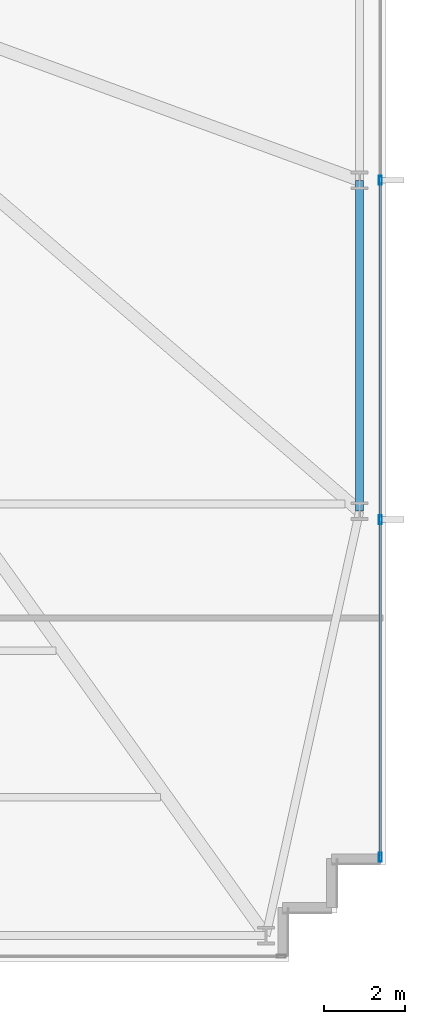
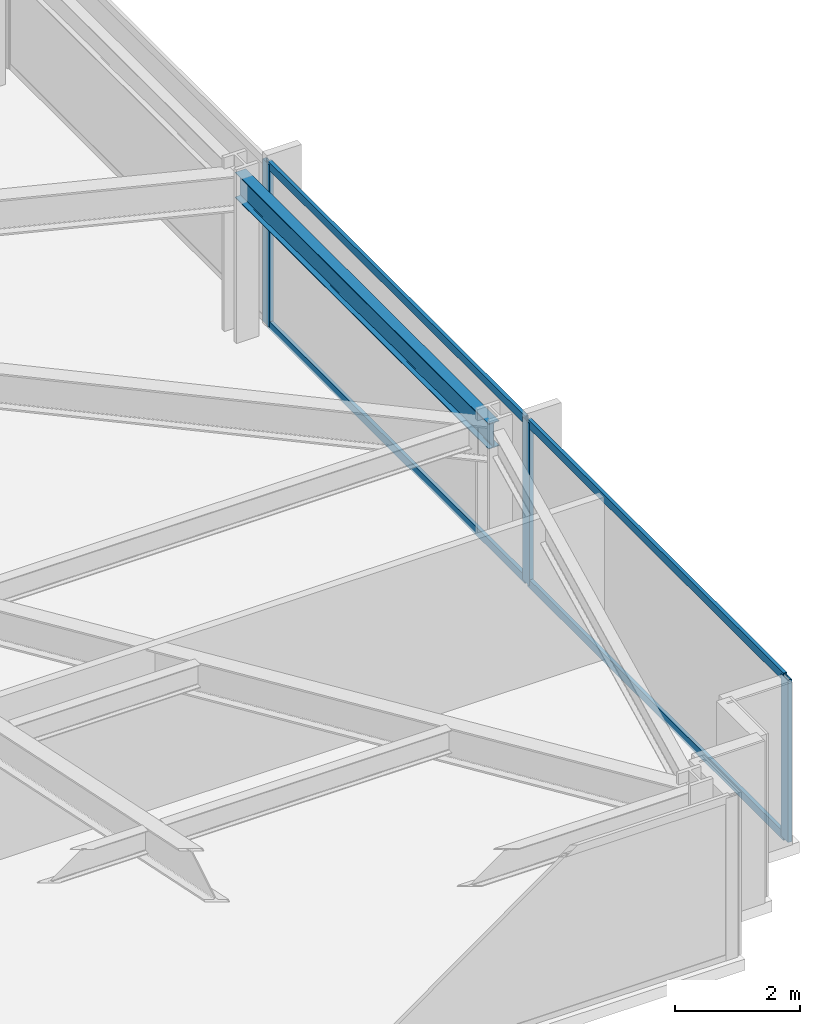
# One storey, part 22 of 32: 7 members, 1 beam, 1 element without a shape of its own.
"""IFC4 building model written with IfcOpenShell, lengths in metres."""

import ifcopenshell
import ifcopenshell.guid

model = None  # the IFC model being written
_history = None  # IfcOwnerHistory: only IFC2X3 demands one
_inside = {}  # id of a spatial element -> (the spatial element, [elements in it])
_under = {}  # id of a project, library or spatial element -> (it, [spatial elements below it])
_declared = {}  # id of a project -> (the project, [libraries it declares])
_typed = {}  # id of a type object -> (the type object, [elements of that type])
_made_of = {}  # id of a material, layer set ... -> (it, [elements and type objects made of it])


def new_model(schema):
    """Start an empty IFC model of exactly this schema.

    Asked for "IFC4X3", IfcOpenShell would pick the latest addendum, in which some entities
    have other attributes; the version numbers below select the first issue.
    IFC2X3 requires an IfcOwnerHistory on every rooted entity: one is made here for all.
    """
    global model, _history
    if schema == "IFC4X3":
        model = ifcopenshell.file(schema_version=(4, 3, 0, 0))
    else:
        model = ifcopenshell.file(schema=schema)
    _inside.clear()
    _under.clear()
    _declared.clear()
    _typed.clear()
    _made_of.clear()
    _history = None
    if model.schema == "IFC2X3":
        org = make("IfcOrganization", Name="unknown")
        user = make(
            "IfcPersonAndOrganization",
            ThePerson=make("IfcPerson", FamilyName="unknown"),
            TheOrganization=org,
        )
        app = make(
            "IfcApplication",
            ApplicationDeveloper=org,
            Version="unknown",
            ApplicationFullName="unknown",
            ApplicationIdentifier="unknown",
        )
        _history = make(
            "IfcOwnerHistory",
            OwningUser=user,
            OwningApplication=app,
            ChangeAction="ADDED",
            CreationDate=0,
        )
    return model


def make(cls, **values):
    """One entity of the class cls with the attributes given. An attribute that is None is left unset."""
    return model.create_entity(
        cls, **{name: value for name, value in values.items() if value is not None}
    )


def rooted(cls, **values):
    """An entity with a GlobalId (a new one), such as an element, a storey or a relation."""
    return make(cls, GlobalId=ifcopenshell.guid.new(), OwnerHistory=_history, **values)


def si_unit(unit_type, name, prefix=None):
    """IfcSIUnit, for example si_unit("LENGTHUNIT", "METRE", prefix="MILLI")."""
    return make("IfcSIUnit", UnitType=unit_type, Prefix=prefix, Name=name)


def assignment(units):
    """IfcUnitAssignment: the units of a project."""
    return None if units is None else make("IfcUnitAssignment", Units=units)


def point(xyz):
    """IfcCartesianPoint."""
    return None if xyz is None else make("IfcCartesianPoint", Coordinates=xyz)


def direction(xyz):
    """IfcDirection."""
    return None if xyz is None else make("IfcDirection", DirectionRatios=xyz)


def frame(location, z_axis=None, x_axis=None):
    """IfcAxis2Placement3D, a coordinate frame: its origin and axes. An axis left out is left unset."""
    return make(
        "IfcAxis2Placement3D",
        Location=point(location),
        Axis=direction(z_axis),
        RefDirection=direction(x_axis),
    )


def frame_2d(location, x_axis=None):
    """IfcAxis2Placement2D, a coordinate frame in the plane: its origin and x axis."""
    return make(
        "IfcAxis2Placement2D", Location=point(location), RefDirection=direction(x_axis)
    )


def origin():
    """The frame at (0, 0, 0) with its axes left unset."""
    return frame((0.0, 0.0, 0.0))


def origin_2d():
    """The frame at (0, 0) in the plane with its x axis left unset."""
    return frame_2d((0.0, 0.0))


def place(relative_to, where):
    """IfcLocalPlacement: puts the frame where relative to a parent placement (None: the world)."""
    return make(
        "IfcLocalPlacement", PlacementRelTo=relative_to, RelativePlacement=where
    )


def context(
    kind, dimensions, precision=None, world=None, true_north=None, identifier=None
):
    """IfcGeometricRepresentationContext, for example the 3D "Model" context."""
    return make(
        "IfcGeometricRepresentationContext",
        ContextIdentifier=identifier,
        ContextType=kind,
        CoordinateSpaceDimension=dimensions,
        Precision=precision,
        WorldCoordinateSystem=world,
        TrueNorth=true_north,
    )


def subcontext(parent, identifier, kind, view, scale=None):
    """IfcGeometricRepresentationSubContext, for example "Body" below "Model"."""
    return make(
        "IfcGeometricRepresentationSubContext",
        ContextIdentifier=identifier,
        ContextType=kind,
        ParentContext=parent,
        TargetScale=scale,
        TargetView=view,
    )


def project(units=None, contexts=None):
    """IfcProject with its units and contexts."""
    return rooted(
        "IfcProject",
        Name="project",
        RepresentationContexts=contexts,
        UnitsInContext=assignment(units),
    )


def spatial(cls, under=None, at=None, **own):
    """A site, building, storey or space (cls), placed at a placement, below another one or the project."""
    s = rooted(cls, ObjectPlacement=at, **own)
    if under is not None:
        _under.setdefault(under.id(), (under, []))[1].append(s)
    return s


def profile(cls, at=None, kind="AREA", **sizes):
    """A parametric profile (cls). Its sizes go by their IFC names, for example OverallWidth=200.0."""
    return make(cls, ProfileType=kind, Position=at, **sizes)


def hollow_rectangle(**sizes):
    """IfcRectangleHollowProfileDef."""
    return profile("IfcRectangleHollowProfileDef", **sizes)


def i_section(**sizes):
    """IfcIShapeProfileDef."""
    return profile("IfcIShapeProfileDef", **sizes)


def extrude(swept, where, along, depth):
    """IfcExtrudedAreaSolid: the profile swept, set in the frame where, extruded along a direction by depth."""
    return make(
        "IfcExtrudedAreaSolid",
        SweptArea=swept,
        Position=where,
        ExtrudedDirection=direction(along),
        Depth=depth,
    )


def shape(context_of_items, identifier, shape_type, items):
    """IfcShapeRepresentation: the items that make up one representation, for example the "Body"."""
    return make(
        "IfcShapeRepresentation",
        ContextOfItems=context_of_items,
        RepresentationIdentifier=identifier,
        RepresentationType=shape_type,
        Items=items,
    )


def material(Name=None, Category=None):
    """IfcMaterial."""
    return make("IfcMaterial", Name=Name, Category=Category)


def material_profile(
    of_material, cross_section, Name=None, Category=None, Priority=None
):
    """IfcMaterialProfile: a cross section and its material."""
    return make(
        "IfcMaterialProfile",
        Name=Name,
        Material=of_material,
        Profile=cross_section,
        Priority=Priority,
        Category=Category,
    )


def profile_set(profiles, Name=None, composite=None):
    """IfcMaterialProfileSet."""
    return make(
        "IfcMaterialProfileSet",
        Name=Name,
        MaterialProfiles=profiles,
        CompositeProfile=composite,
    )


def made_of(thing, what):
    """Note that an element or type object is made of a material, layer set ...; save() writes the relation."""
    if what is not None:
        _made_of.setdefault(what.id(), (what, []))[1].append(thing)
    return thing


def type_object(cls, material=None, **own):
    """A type object (cls), such as IfcWallType, which elements share."""
    return made_of(rooted(cls, **own), material)


def element(
    cls,
    number,
    at=None,
    inside=None,
    cuts=None,
    type_object=None,
    material=None,
    context=None,
    identifier="Body",
    shape_type=None,
    held_by="IfcProductDefinitionShape",
    body=None,
    shapes=None,
    **own,
):
    """One element of the class cls, such as IfcWall. Its Tag is "e" and its number.

    at: its placement. inside: the storey or other place that contains it. cuts: it is an
    opening in that element (IfcRelVoidsElement). A single representation is given by context,
    identifier, shape_type and body (its items); several are given by shapes. held_by: the class
    of the entity that holds the representations. save() writes the other relations.
    """
    e = rooted(cls, Tag="e%d" % number, ObjectPlacement=at, **own)
    if body is not None:
        shapes = [shape(context, identifier, shape_type, body)]
    if shapes is not None:
        e.Representation = make(held_by, Representations=shapes)
    if inside is not None:
        _inside.setdefault(inside.id(), (inside, []))[1].append(e)
    if cuts is not None:
        rooted(
            "IfcRelVoidsElement", RelatingBuildingElement=cuts, RelatedOpeningElement=e
        )
    if type_object is not None:
        _typed.setdefault(type_object.id(), (type_object, []))[1].append(e)
    return made_of(e, material)


def aggregate(whole, parts):
    """IfcRelAggregates: a whole, such as a stair, and the parts it consists of."""
    return rooted("IfcRelAggregates", RelatingObject=whole, RelatedObjects=parts)


def save(model, path):
    """Write the relations noted so far, then the file.

    IfcRelAggregates (storeys below a building ...), IfcRelContainedInSpatialStructure (elements
    in a storey), IfcRelDefinesByType, IfcRelAssociatesMaterial and IfcRelDeclares: one each for
    every whole, place, type object, material and project.
    """
    for whole, parts in _under.values():
        aggregate(whole, parts)
    for where, things in _inside.values():
        rooted(
            "IfcRelContainedInSpatialStructure",
            RelatedElements=things,
            RelatingStructure=where,
        )
    for kind, things in _typed.values():
        rooted("IfcRelDefinesByType", RelatedObjects=things, RelatingType=kind)
    for what, things in _made_of.values():
        rooted("IfcRelAssociatesMaterial", RelatedObjects=things, RelatingMaterial=what)
    for by, libraries in _declared.values():
        rooted("IfcRelDeclares", RelatingContext=by, RelatedDefinitions=libraries)
    model.write(path)


model = new_model("IFC4")

# Units and contexts
model_context = context("Model", 3, precision=1e-05, world=origin(), true_north=direction((0.0, 1.0)))
body_context = subcontext(model_context, "Body", "Model", "MODEL_VIEW")
ifc_project = project(units=[si_unit("LENGTHUNIT", "METRE"), si_unit("AREAUNIT", "SQUARE_METRE"), si_unit("VOLUMEUNIT", "CUBIC_METRE"), si_unit("PLANEANGLEUNIT", "RADIAN"), si_unit("MASSUNIT", "GRAM", prefix="KILO")], contexts=[model_context])

# Site, building, storey
site_placement = place(None, origin())
site = spatial("IfcSite", under=ifc_project, at=site_placement, CompositionType="ELEMENT")
building_placement = place(site_placement, origin())
building = spatial("IfcBuilding", under=site, at=building_placement, Name="Yelkora Congress Tower", CompositionType="ELEMENT")
storey_placement = place(building_placement, frame((0.0, 0.0, 33.800048828125)))
storey = spatial("IfcBuildingStorey", under=building, at=storey_placement, Name="L07", CompositionType="ELEMENT", Elevation=33.800048828125)

# Beam
ifc_material_1 = material(Name="Steel S355J2", Category="steel")
ifc_material_profile_1 = material_profile(ifc_material_1, i_section(OverallWidth=0.199951171875, OverallDepth=0.5, WebThickness=0.01025390625, FlangeThickness=0.01611328125, FilletRadius=0.02099609375, at=origin_2d()), Name="IPE 500")
ifc_profile_set_1 = profile_set([ifc_material_profile_1], Name="Steel S355J2")
beam_type = type_object("IfcBeamType", Name="BM-SPAN-IPE500", PredefinedType="SPANDREL", material=ifc_profile_set_1)
beam_placement = place(storey_placement, frame((70.14990234375, 21.27490234375, 2.929931640625), z_axis=(0.0, 1.0, 0.0), x_axis=(-1.0, 0.0, 0.0)))
element("IfcBeam", 1, at=beam_placement, inside=storey, type_object=beam_type, Name="L07 Perimeter Beam 11", PredefinedType="SPANDREL", context=body_context, shape_type="SweptSolid", body=[
    extrude(i_section(OverallWidth=0.199951171875, OverallDepth=0.5, WebThickness=0.01025390625, FlangeThickness=0.01611328125, FilletRadius=0.02099609375, at=origin_2d()), origin(), (0.0, 0.0, 1.0), 8.125),
])

# Curtain wall, members
ifc_material_2 = material(Name="Anodised aluminium and insulated glass", Category="aluminium")
curtain_wall_type = type_object("IfcCurtainWallType", Name="CW-SYS-B1", PredefinedType="NOTDEFINED", material=ifc_material_2)
curtain_wall_placement = place(storey_placement, origin())
curtain_wall = element("IfcCurtainWall", 2, at=curtain_wall_placement, inside=storey, type_object=curtain_wall_type, Name="L07 Unitised Curtain Wall 15", PredefinedType="NOTDEFINED")
ifc_material_3 = material(Name="Anodised aluminium 6063-T6", Category="aluminium")
ifc_material_profile_2 = material_profile(ifc_material_3, hollow_rectangle(XDim=0.074951171875, YDim=0.219970703125, WallThickness=0.0048828125, at=origin_2d()), Name="ALU 75x220x5")
ifc_profile_set_2 = profile_set([ifc_material_profile_2], Name="Anodised aluminium 6063-T6")
member_type_1 = type_object("IfcMemberType", Name="MEM-ML-B1", PredefinedType="MULLION", material=ifc_profile_set_2)
member_1_placement = place(storey_placement, frame((70.659912109375, 29.39990234375, 0.0), z_axis=(0.0, 0.0, 1.0), x_axis=(1.0, 0.0, 0.0)))
member_1 = element("IfcMember", 3, at=member_1_placement, type_object=member_type_1, Name="CW-B1 mullion 3", PredefinedType="MULLION", context=body_context, shape_type="SweptSolid", body=[
    extrude(hollow_rectangle(XDim=0.074951171875, YDim=0.219970703125, WallThickness=0.0048828125, at=origin_2d()), origin(), (0.0, 0.0, 1.0), 3.179931640625),
])
member_2_placement = place(storey_placement, frame((70.659912109375, 21.070068359375, 0.0), z_axis=(0.0, 0.0, 1.0), x_axis=(1.0, 0.0, 0.0)))
member_2 = element("IfcMember", 4, at=member_2_placement, type_object=member_type_1, Name="CW-B1 mullion 4", PredefinedType="MULLION", context=body_context, shape_type="SweptSolid", body=[
    extrude(hollow_rectangle(XDim=0.074951171875, YDim=0.219970703125, WallThickness=0.0048828125, at=origin_2d()), origin(), (0.0, 0.0, 1.0), 3.179931640625),
])
member_3_placement = place(storey_placement, frame((70.659912109375, 12.777587890625, 0.0), z_axis=(0.0, 0.0, 1.0), x_axis=(1.0, 0.0, 0.0)))
member_3 = element("IfcMember", 5, at=member_3_placement, type_object=member_type_1, Name="CW-B1 mullion 5", PredefinedType="MULLION", context=body_context, shape_type="SweptSolid", body=[
    extrude(hollow_rectangle(XDim=0.074951171875, YDim=0.219970703125, WallThickness=0.0048828125, at=origin_2d()), origin(), (0.0, 0.0, 1.0), 3.179931640625),
])
ifc_material_profile_3 = material_profile(ifc_material_3, hollow_rectangle(XDim=0.06494140625, YDim=0.159912109375, WallThickness=0.00390625, at=origin_2d()), Name="ALU 65x160x4")
ifc_profile_set_3 = profile_set([ifc_material_profile_3], Name="Anodised aluminium 6063-T6")
member_type_2 = type_object("IfcMemberType", Name="MEM-TR-B1", PredefinedType="USERDEFINED", material=ifc_profile_set_3)
member_4_placement = place(storey_placement, frame((70.659912109375, 29.362548828125, 0.032470703125), z_axis=(0.0, -1.0, 0.0), x_axis=(1.0, 0.0, 0.0)))
member_4 = element("IfcMember", 6, at=member_4_placement, type_object=member_type_2, Name="CW-B1 transom 3.1", ObjectType="TRANSOM", PredefinedType="USERDEFINED", context=body_context, shape_type="SweptSolid", body=[
    extrude(hollow_rectangle(XDim=0.06494140625, YDim=0.159912109375, WallThickness=0.00390625, at=origin_2d()), origin(), (0.0, 0.0, 1.0), 8.255126953125),
])
member_5_placement = place(storey_placement, frame((70.659912109375, 29.362548828125, 3.1474609375), z_axis=(0.0, -1.0, 0.0), x_axis=(1.0, 0.0, 0.0)))
member_5 = element("IfcMember", 7, at=member_5_placement, type_object=member_type_2, Name="CW-B1 transom 3.2", ObjectType="TRANSOM", PredefinedType="USERDEFINED", context=body_context, shape_type="SweptSolid", body=[
    extrude(hollow_rectangle(XDim=0.06494140625, YDim=0.159912109375, WallThickness=0.00390625, at=origin_2d()), origin(), (0.0, 0.0, 1.0), 8.255126953125),
])
member_6_placement = place(storey_placement, frame((70.659912109375, 21.032470703125, 0.032470703125), z_axis=(0.0, -1.0, 0.0), x_axis=(1.0, 0.0, 0.0)))
member_6 = element("IfcMember", 8, at=member_6_placement, type_object=member_type_2, Name="CW-B1 transom 4.1", ObjectType="TRANSOM", PredefinedType="USERDEFINED", context=body_context, shape_type="SweptSolid", body=[
    extrude(hollow_rectangle(XDim=0.06494140625, YDim=0.159912109375, WallThickness=0.00390625, at=origin_2d()), origin(), (0.0, 0.0, 1.0), 8.217529296875),
])
member_7_placement = place(storey_placement, frame((70.659912109375, 21.032470703125, 3.1474609375), z_axis=(0.0, -1.0, 0.0), x_axis=(1.0, 0.0, 0.0)))
member_7 = element("IfcMember", 9, at=member_7_placement, type_object=member_type_2, Name="CW-B1 transom 4.2", ObjectType="TRANSOM", PredefinedType="USERDEFINED", context=body_context, shape_type="SweptSolid", body=[
    extrude(hollow_rectangle(XDim=0.06494140625, YDim=0.159912109375, WallThickness=0.00390625, at=origin_2d()), origin(), (0.0, 0.0, 1.0), 8.217529296875),
])
aggregate(curtain_wall, [member_1, member_2, member_3, member_4, member_5, member_6, member_7])

save(model, "model.ifc")
